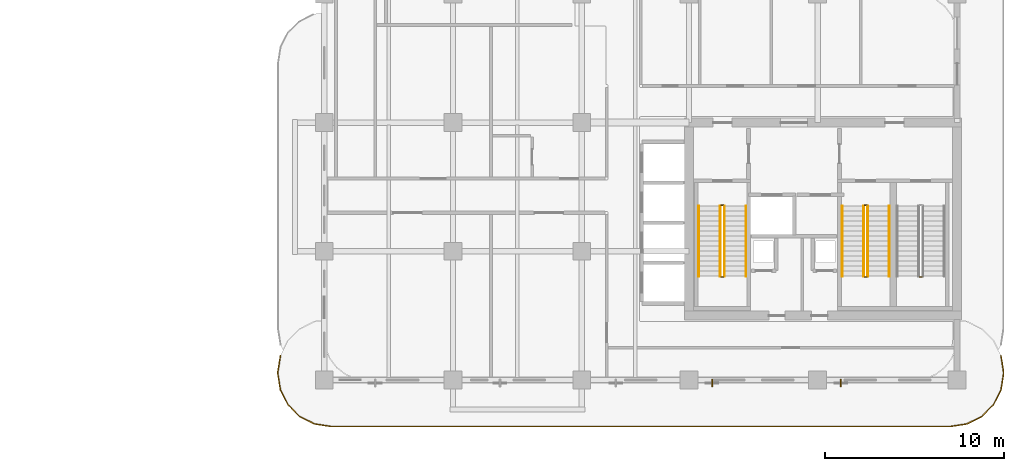
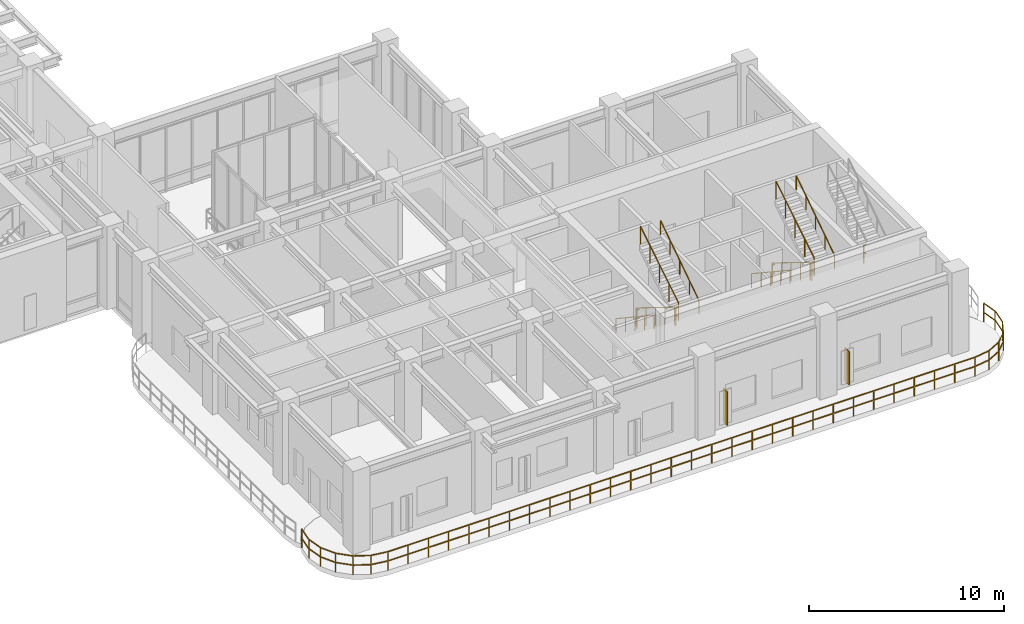
# One storey, part 18 of 21: 14 railings, 2 shading devices.
"""IFC4 building model written with IfcOpenShell, lengths in metres."""

import ifcopenshell
import ifcopenshell.guid

model = None  # the IFC model being written
_history = None  # IfcOwnerHistory: only IFC2X3 demands one
_inside = {}  # id of a spatial element -> (the spatial element, [elements in it])
_under = {}  # id of a project, library or spatial element -> (it, [spatial elements below it])
_declared = {}  # id of a project -> (the project, [libraries it declares])
_typed = {}  # id of a type object -> (the type object, [elements of that type])
_made_of = {}  # id of a material, layer set ... -> (it, [elements and type objects made of it])


def new_model(schema):
    """Start an empty IFC model of exactly this schema.

    Asked for "IFC4X3", IfcOpenShell would pick the latest addendum, in which some entities
    have other attributes; the version numbers below select the first issue.
    IFC2X3 requires an IfcOwnerHistory on every rooted entity: one is made here for all.
    """
    global model, _history
    if schema == "IFC4X3":
        model = ifcopenshell.file(schema_version=(4, 3, 0, 0))
    else:
        model = ifcopenshell.file(schema=schema)
    _inside.clear()
    _under.clear()
    _declared.clear()
    _typed.clear()
    _made_of.clear()
    _history = None
    if model.schema == "IFC2X3":
        org = make("IfcOrganization", Name="unknown")
        user = make(
            "IfcPersonAndOrganization",
            ThePerson=make("IfcPerson", FamilyName="unknown"),
            TheOrganization=org,
        )
        app = make(
            "IfcApplication",
            ApplicationDeveloper=org,
            Version="unknown",
            ApplicationFullName="unknown",
            ApplicationIdentifier="unknown",
        )
        _history = make(
            "IfcOwnerHistory",
            OwningUser=user,
            OwningApplication=app,
            ChangeAction="ADDED",
            CreationDate=0,
        )
    return model


def make(cls, **values):
    """One entity of the class cls with the attributes given. An attribute that is None is left unset."""
    return model.create_entity(
        cls, **{name: value for name, value in values.items() if value is not None}
    )


def rooted(cls, **values):
    """An entity with a GlobalId (a new one), such as an element, a storey or a relation."""
    return make(cls, GlobalId=ifcopenshell.guid.new(), OwnerHistory=_history, **values)


def si_unit(unit_type, name, prefix=None):
    """IfcSIUnit, for example si_unit("LENGTHUNIT", "METRE", prefix="MILLI")."""
    return make("IfcSIUnit", UnitType=unit_type, Prefix=prefix, Name=name)


def derived_unit(unit_type, elements):
    """IfcDerivedUnit: a product of units, each with its exponent."""
    return make(
        "IfcDerivedUnit",
        Elements=[
            make("IfcDerivedUnitElement", Unit=unit, Exponent=power)
            for unit, power in elements
        ],
        UnitType=unit_type,
    )


def assignment(units):
    """IfcUnitAssignment: the units of a project."""
    return None if units is None else make("IfcUnitAssignment", Units=units)


def point(xyz):
    """IfcCartesianPoint."""
    return None if xyz is None else make("IfcCartesianPoint", Coordinates=xyz)


def direction(xyz):
    """IfcDirection."""
    return None if xyz is None else make("IfcDirection", DirectionRatios=xyz)


def frame(location, z_axis=None, x_axis=None):
    """IfcAxis2Placement3D, a coordinate frame: its origin and axes. An axis left out is left unset."""
    return make(
        "IfcAxis2Placement3D",
        Location=point(location),
        Axis=direction(z_axis),
        RefDirection=direction(x_axis),
    )


def frame_2d(location, x_axis=None):
    """IfcAxis2Placement2D, a coordinate frame in the plane: its origin and x axis."""
    return make(
        "IfcAxis2Placement2D", Location=point(location), RefDirection=direction(x_axis)
    )


def origin():
    """The frame at (0, 0, 0) with its axes left unset."""
    return frame((0.0, 0.0, 0.0))


def origin_2d():
    """The frame at (0, 0) in the plane with its x axis left unset."""
    return frame_2d((0.0, 0.0))


def place(relative_to, where):
    """IfcLocalPlacement: puts the frame where relative to a parent placement (None: the world)."""
    return make(
        "IfcLocalPlacement", PlacementRelTo=relative_to, RelativePlacement=where
    )


def context(
    kind, dimensions, precision=None, world=None, true_north=None, identifier=None
):
    """IfcGeometricRepresentationContext, for example the 3D "Model" context."""
    return make(
        "IfcGeometricRepresentationContext",
        ContextIdentifier=identifier,
        ContextType=kind,
        CoordinateSpaceDimension=dimensions,
        Precision=precision,
        WorldCoordinateSystem=world,
        TrueNorth=true_north,
    )


def subcontext(parent, identifier, kind, view, scale=None):
    """IfcGeometricRepresentationSubContext, for example "Body" below "Model"."""
    return make(
        "IfcGeometricRepresentationSubContext",
        ContextIdentifier=identifier,
        ContextType=kind,
        ParentContext=parent,
        TargetScale=scale,
        TargetView=view,
    )


def project(units=None, contexts=None):
    """IfcProject with its units and contexts."""
    return rooted(
        "IfcProject",
        Name="project",
        RepresentationContexts=contexts,
        UnitsInContext=assignment(units),
    )


def spatial(cls, under=None, at=None, **own):
    """A site, building, storey or space (cls), placed at a placement, below another one or the project."""
    s = rooted(cls, ObjectPlacement=at, **own)
    if under is not None:
        _under.setdefault(under.id(), (under, []))[1].append(s)
    return s


def profile(cls, at=None, kind="AREA", **sizes):
    """A parametric profile (cls). Its sizes go by their IFC names, for example OverallWidth=200.0."""
    return make(cls, ProfileType=kind, Position=at, **sizes)


def rectangle(**sizes):
    """IfcRectangleProfileDef."""
    return profile("IfcRectangleProfileDef", **sizes)


def extrude(swept, where, along, depth):
    """IfcExtrudedAreaSolid: the profile swept, set in the frame where, extruded along a direction by depth."""
    return make(
        "IfcExtrudedAreaSolid",
        SweptArea=swept,
        Position=where,
        ExtrudedDirection=direction(along),
        Depth=depth,
    )


def shape(context_of_items, identifier, shape_type, items):
    """IfcShapeRepresentation: the items that make up one representation, for example the "Body"."""
    return make(
        "IfcShapeRepresentation",
        ContextOfItems=context_of_items,
        RepresentationIdentifier=identifier,
        RepresentationType=shape_type,
        Items=items,
    )


def source(mapping_origin, context_of_items, identifier, shape_type, items):
    """IfcRepresentationMap: a shape defined once, which mapped items show again and again."""
    return make(
        "IfcRepresentationMap",
        MappingOrigin=mapping_origin,
        MappedRepresentation=shape(context_of_items, identifier, shape_type, items),
    )


def transform(
    local_origin,
    x_axis=None,
    y_axis=None,
    z_axis=None,
    scale=None,
    scale2=None,
    scale3=None,
    uniform=True,
):
    """IfcCartesianTransformationOperator3D, or its non-uniform kind. x_axis, y_axis, z_axis: its Axis1, 2, 3."""
    if uniform:
        return make(
            "IfcCartesianTransformationOperator3D",
            Axis1=direction(x_axis),
            Axis2=direction(y_axis),
            LocalOrigin=point(local_origin),
            Scale=scale,
            Axis3=direction(z_axis),
        )
    return make(
        "IfcCartesianTransformationOperator3DnonUniform",
        Axis1=direction(x_axis),
        Axis2=direction(y_axis),
        LocalOrigin=point(local_origin),
        Scale=scale,
        Axis3=direction(z_axis),
        Scale2=scale2,
        Scale3=scale3,
    )


def mapped(mapping_source, mapping_target):
    """IfcMappedItem: shows the shape of a source again, moved by a transform."""
    return make(
        "IfcMappedItem", MappingSource=mapping_source, MappingTarget=mapping_target
    )


def material(Name=None, Category=None):
    """IfcMaterial."""
    return make("IfcMaterial", Name=Name, Category=Category)


def layer(
    of_material, thickness, ventilated=None, Name=None, Category=None, Priority=None
):
    """IfcMaterialLayer: one layer of a wall or slab, of a material (None: an air gap)."""
    return make(
        "IfcMaterialLayer",
        Material=of_material,
        LayerThickness=thickness,
        IsVentilated=ventilated,
        Name=Name,
        Category=Category,
        Priority=Priority,
    )


def layer_set(layers, Name=None):
    """IfcMaterialLayerSet."""
    return make("IfcMaterialLayerSet", MaterialLayers=layers, LayerSetName=Name)


def made_of(thing, what):
    """Note that an element or type object is made of a material, layer set ...; save() writes the relation."""
    if what is not None:
        _made_of.setdefault(what.id(), (what, []))[1].append(thing)
    return thing


def type_object(cls, material=None, **own):
    """A type object (cls), such as IfcWallType, which elements share."""
    return made_of(rooted(cls, **own), material)


def type_shapes(of_type, sources):
    """Give a type object the sources (RepresentationMaps) that its elements show as mapped items."""
    of_type.RepresentationMaps = sources


def element(
    cls,
    number,
    at=None,
    inside=None,
    cuts=None,
    type_object=None,
    material=None,
    context=None,
    identifier="Body",
    shape_type=None,
    held_by="IfcProductDefinitionShape",
    body=None,
    shapes=None,
    **own,
):
    """One element of the class cls, such as IfcWall. Its Tag is "e" and its number.

    at: its placement. inside: the storey or other place that contains it. cuts: it is an
    opening in that element (IfcRelVoidsElement). A single representation is given by context,
    identifier, shape_type and body (its items); several are given by shapes. held_by: the class
    of the entity that holds the representations. save() writes the other relations.
    """
    e = rooted(cls, Tag="e%d" % number, ObjectPlacement=at, **own)
    if body is not None:
        shapes = [shape(context, identifier, shape_type, body)]
    if shapes is not None:
        e.Representation = make(held_by, Representations=shapes)
    if inside is not None:
        _inside.setdefault(inside.id(), (inside, []))[1].append(e)
    if cuts is not None:
        rooted(
            "IfcRelVoidsElement", RelatingBuildingElement=cuts, RelatedOpeningElement=e
        )
    if type_object is not None:
        _typed.setdefault(type_object.id(), (type_object, []))[1].append(e)
    return made_of(e, material)


def aggregate(whole, parts):
    """IfcRelAggregates: a whole, such as a stair, and the parts it consists of."""
    return rooted("IfcRelAggregates", RelatingObject=whole, RelatedObjects=parts)


def save(model, path):
    """Write the relations noted so far, then the file.

    IfcRelAggregates (storeys below a building ...), IfcRelContainedInSpatialStructure (elements
    in a storey), IfcRelDefinesByType, IfcRelAssociatesMaterial and IfcRelDeclares: one each for
    every whole, place, type object, material and project.
    """
    for whole, parts in _under.values():
        aggregate(whole, parts)
    for where, things in _inside.values():
        rooted(
            "IfcRelContainedInSpatialStructure",
            RelatedElements=things,
            RelatingStructure=where,
        )
    for kind, things in _typed.values():
        rooted("IfcRelDefinesByType", RelatedObjects=things, RelatingType=kind)
    for what, things in _made_of.values():
        rooted("IfcRelAssociatesMaterial", RelatedObjects=things, RelatingMaterial=what)
    for by, libraries in _declared.values():
        rooted("IfcRelDeclares", RelatingContext=by, RelatedDefinitions=libraries)
    model.write(path)


model = new_model("IFC4")

# Units and contexts
model_context = context("Model", 3, precision=1e-05, world=origin(), true_north=direction((0.0, 1.0)))
body_context = subcontext(model_context, "Body", "Model", "MODEL_VIEW")
ifc_project = project(units=[si_unit("LENGTHUNIT", "METRE"), si_unit("AREAUNIT", "SQUARE_METRE"), si_unit("VOLUMEUNIT", "CUBIC_METRE"), si_unit("PLANEANGLEUNIT", "RADIAN"), si_unit("MASSUNIT", "GRAM", prefix="KILO"), si_unit("THERMODYNAMICTEMPERATUREUNIT", "KELVIN"), si_unit("POWERUNIT", "WATT"), derived_unit("THERMALTRANSMITTANCEUNIT", [(si_unit("POWERUNIT", "WATT"), 1), (si_unit("AREAUNIT", "SQUARE_METRE"), -1), (si_unit("THERMODYNAMICTEMPERATUREUNIT", "KELVIN"), -1)])], contexts=[model_context])

# Site, building, storey
site_placement = place(None, origin())
site = spatial("IfcSite", under=ifc_project, at=site_placement, CompositionType="ELEMENT")
building_placement = place(site_placement, origin())
building = spatial("IfcBuilding", under=site, at=building_placement, Name="Zahravan Archway Hotel and Residences", CompositionType="ELEMENT")
storey_placement = place(building_placement, frame((0.0, 0.0, 145.10009765625)))
storey = spatial("IfcBuildingStorey", under=building, at=storey_placement, Name="L36", CompositionType="ELEMENT", Elevation=145.10009765625)

# Railings
ifc_material_1 = material(Name="Bronze & Laminated Glass Balustrade", Category="glass")
railing_type_1 = type_object("IfcRailingType", Name="RL-BAL-1200", PredefinedType="BALUSTRADE", material=ifc_material_1)
railing_1_placement = place(storey_placement, frame((52.255615234375, 1.361572265625, 0.0)))
element("IfcRailing", 1, at=railing_1_placement, inside=storey, type_object=railing_type_1, Name="L36 Balustrade RL-SLB-BAL-L36-SA-1", PredefinedType="BALUSTRADE", context=body_context, shape_type="SweptSolid", body=[
    extrude(rectangle(XDim=0.048095703125, YDim=0.048095703125, at=origin_2d()), frame((0.0, 0.0, 1.17578125), z_axis=(0.156329311416, -0.987704989555, 0.0), x_axis=(0.987704989555, 0.156329311416, 0.0)), (0.0, 0.0, 1.0), 0.9228515625),
    extrude(rectangle(XDim=0.048095703125, YDim=0.048095703125, at=origin_2d()), frame((0.0, 0.0, 0.60009765625), z_axis=(0.156329311416, -0.987704989555, 0.0), x_axis=(0.987704989555, 0.156329311416, 0.0)), (0.0, 0.0, 1.0), 0.9228515625),
    extrude(rectangle(XDim=0.048095703125, YDim=0.048095703125, at=origin_2d()), frame((0.144287109375, -0.91162109375, 1.17578125), z_axis=(0.0, -1.0, 0.0), x_axis=(1.0, 0.0, 0.0)), (0.0, 0.0, 1.0), 0.099853515625),
    extrude(rectangle(XDim=0.048095703125, YDim=0.048095703125, at=origin_2d()), frame((0.144287109375, -0.91162109375, 0.60009765625), z_axis=(0.0, -1.0, 0.0), x_axis=(1.0, 0.0, 0.0)), (0.0, 0.0, 1.0), 0.099853515625),
    extrude(rectangle(XDim=0.048095703125, YDim=0.048095703125, at=origin_2d()), frame((0.144287109375, -1.011474609375, 1.17578125), z_axis=(-0.156329311416, -0.987704989555, 0.0), x_axis=(0.987704989555, -0.156329311416, 0.0)), (0.0, 0.0, 1.0), 0.9228515625),
    extrude(rectangle(XDim=0.048095703125, YDim=0.048095703125, at=origin_2d()), frame((0.144287109375, -1.011474609375, 0.60009765625), z_axis=(-0.156329311416, -0.987704989555, 0.0), x_axis=(0.987704989555, -0.156329311416, 0.0)), (0.0, 0.0, 1.0), 0.9228515625),
    extrude(rectangle(XDim=0.048095703125, YDim=0.048095703125, at=origin_2d()), frame((0.0, -1.923095703125, 1.17578125), z_axis=(-0.453866348456, -0.891069771532, 0.0), x_axis=(0.891069771532, -0.453866348456, 0.0)), (0.0, 0.0, 1.0), 0.923095703125),
    extrude(rectangle(XDim=0.048095703125, YDim=0.048095703125, at=origin_2d()), frame((0.0, -1.923095703125, 0.60009765625), z_axis=(-0.453866348456, -0.891069771532, 0.0), x_axis=(0.891069771532, -0.453866348456, 0.0)), (0.0, 0.0, 1.0), 0.923095703125),
    extrude(rectangle(XDim=0.048095703125, YDim=0.048095703125, at=origin_2d()), frame((-0.4189453125, -2.74560546875, 1.17578125), z_axis=(-0.707106781187, -0.707106781187, 0.0), x_axis=(0.707106781187, -0.707106781187, 0.0)), (0.0, 0.0, 1.0), 0.9228515625),
    extrude(rectangle(XDim=0.048095703125, YDim=0.048095703125, at=origin_2d()), frame((-0.4189453125, -2.74560546875, 0.60009765625), z_axis=(-0.707106781187, -0.707106781187, 0.0), x_axis=(0.707106781187, -0.707106781187, 0.0)), (0.0, 0.0, 1.0), 0.9228515625),
    extrude(rectangle(XDim=0.048095703125, YDim=0.048095703125, at=origin_2d()), frame((-1.071533203125, -3.398193359375, 1.17578125), z_axis=(-0.891069771532, -0.453866348456, 0.0), x_axis=(0.453866348456, -0.891069771532, 0.0)), (0.0, 0.0, 1.0), 0.923095703125),
    extrude(rectangle(XDim=0.048095703125, YDim=0.048095703125, at=origin_2d()), frame((-1.071533203125, -3.398193359375, 0.60009765625), z_axis=(-0.891069771532, -0.453866348456, 0.0), x_axis=(0.453866348456, -0.891069771532, 0.0)), (0.0, 0.0, 1.0), 0.923095703125),
    extrude(rectangle(XDim=0.048095703125, YDim=0.048095703125, at=origin_2d()), frame((-1.89404296875, -3.817138671875, 1.17578125), z_axis=(-0.98766411426, -0.156587347521, 0.0), x_axis=(0.156587347521, -0.98766411426, 0.0)), (0.0, 0.0, 1.0), 0.923095703125),
    extrude(rectangle(XDim=0.048095703125, YDim=0.048095703125, at=origin_2d()), frame((-1.89404296875, -3.817138671875, 0.60009765625), z_axis=(-0.98766411426, -0.156587347521, 0.0), x_axis=(0.156587347521, -0.98766411426, 0.0)), (0.0, 0.0, 1.0), 0.923095703125),
    extrude(rectangle(XDim=0.048095703125, YDim=0.048095703125, at=origin_2d()), frame((-2.8056640625, -3.961669921875, 1.17578125), z_axis=(-1.0, 0.0, 0.0), x_axis=(0.0, -1.0, 0.0)), (0.0, 0.0, 1.0), 34.699951171875),
    extrude(rectangle(XDim=0.048095703125, YDim=0.048095703125, at=origin_2d()), frame((-2.8056640625, -3.961669921875, 0.60009765625), z_axis=(-1.0, 0.0, 0.0), x_axis=(0.0, -1.0, 0.0)), (0.0, 0.0, 1.0), 34.699951171875),
    extrude(rectangle(XDim=0.048095703125, YDim=0.048095703125, at=origin_2d()), frame((-37.505615234375, -3.961669921875, 1.17578125), z_axis=(-0.98766411426, 0.156587347521, 0.0), x_axis=(-0.156587347521, -0.98766411426, 0.0)), (0.0, 0.0, 1.0), 0.923095703125),
    extrude(rectangle(XDim=0.048095703125, YDim=0.048095703125, at=origin_2d()), frame((-37.505615234375, -3.961669921875, 0.60009765625), z_axis=(-0.98766411426, 0.156587347521, 0.0), x_axis=(-0.156587347521, -0.98766411426, 0.0)), (0.0, 0.0, 1.0), 0.923095703125),
    extrude(rectangle(XDim=0.048095703125, YDim=0.048095703125, at=origin_2d()), frame((-38.417236328125, -3.817138671875, 1.17578125), z_axis=(-0.891015268556, 0.453973337542, 0.0), x_axis=(-0.453973337542, -0.891015268556, 0.0)), (0.0, 0.0, 1.0), 0.9228515625),
    extrude(rectangle(XDim=0.048095703125, YDim=0.048095703125, at=origin_2d()), frame((-38.417236328125, -3.817138671875, 0.60009765625), z_axis=(-0.891015268556, 0.453973337542, 0.0), x_axis=(-0.453973337542, -0.891015268556, 0.0)), (0.0, 0.0, 1.0), 0.9228515625),
    extrude(rectangle(XDim=0.048095703125, YDim=0.048095703125, at=origin_2d()), frame((-39.239501953125, -3.398193359375, 1.17578125), z_axis=(-0.707239012465, 0.706974525176, 0.0), x_axis=(-0.706974525176, -0.707239012465, 0.0)), (0.0, 0.0, 1.0), 0.923095703125),
    extrude(rectangle(XDim=0.048095703125, YDim=0.048095703125, at=origin_2d()), frame((-39.239501953125, -3.398193359375, 0.60009765625), z_axis=(-0.707239012465, 0.706974525176, 0.0), x_axis=(-0.706974525176, -0.707239012465, 0.0)), (0.0, 0.0, 1.0), 0.923095703125),
    extrude(rectangle(XDim=0.048095703125, YDim=0.048095703125, at=origin_2d()), frame((-39.892333984375, -2.74560546875, 1.17578125), z_axis=(-0.453866348456, 0.891069771532, 0.0), x_axis=(-0.891069771532, -0.453866348456, 0.0)), (0.0, 0.0, 1.0), 0.923095703125),
    extrude(rectangle(XDim=0.048095703125, YDim=0.048095703125, at=origin_2d()), frame((-39.892333984375, -2.74560546875, 0.60009765625), z_axis=(-0.453866348456, 0.891069771532, 0.0), x_axis=(-0.891069771532, -0.453866348456, 0.0)), (0.0, 0.0, 1.0), 0.923095703125),
    extrude(rectangle(XDim=0.048095703125, YDim=0.048095703125, at=origin_2d()), frame((-40.311279296875, -1.923095703125, 1.17578125), z_axis=(-0.156329311416, 0.987704989555, 0.0), x_axis=(-0.987704989555, -0.156329311416, 0.0)), (0.0, 0.0, 1.0), 0.9228515625),
    extrude(rectangle(XDim=0.048095703125, YDim=0.048095703125, at=origin_2d()), frame((-40.311279296875, -1.923095703125, 0.60009765625), z_axis=(-0.156329311416, 0.987704989555, 0.0), x_axis=(-0.987704989555, -0.156329311416, 0.0)), (0.0, 0.0, 1.0), 0.9228515625),
    extrude(rectangle(XDim=0.048095703125, YDim=0.048095703125, at=origin_2d()), frame((-40.45556640625, -1.011474609375, 1.17578125), z_axis=(0.0, 1.0, 0.0), x_axis=(-1.0, 0.0, 0.0)), (0.0, 0.0, 1.0), 0.099853515625),
    extrude(rectangle(XDim=0.048095703125, YDim=0.048095703125, at=origin_2d()), frame((-40.45556640625, -1.011474609375, 0.60009765625), z_axis=(0.0, 1.0, 0.0), x_axis=(-1.0, 0.0, 0.0)), (0.0, 0.0, 1.0), 0.099853515625),
    extrude(rectangle(XDim=0.048095703125, YDim=0.048095703125, at=origin_2d()), frame((-40.45556640625, -0.91162109375, 1.17578125), z_axis=(0.156329311416, 0.987704989555, 0.0), x_axis=(-0.987704989555, 0.156329311416, 0.0)), (0.0, 0.0, 1.0), 0.9228515625),
    extrude(rectangle(XDim=0.048095703125, YDim=0.048095703125, at=origin_2d()), frame((-40.45556640625, -0.91162109375, 0.60009765625), z_axis=(0.156329311416, 0.987704989555, 0.0), x_axis=(-0.987704989555, 0.156329311416, 0.0)), (0.0, 0.0, 1.0), 0.9228515625),
    extrude(rectangle(XDim=0.0419921875, YDim=0.0419921875, at=origin_2d()), origin(), (0.0, 0.0, 1.0), 1.15185546875),
    extrude(rectangle(XDim=0.0419921875, YDim=0.0419921875, at=origin_2d()), frame((0.144287109375, -0.91162109375, 0.0)), (0.0, 0.0, 1.0), 1.15185546875),
    extrude(rectangle(XDim=0.0419921875, YDim=0.0419921875, at=origin_2d()), frame((0.0, -1.923095703125, 0.0)), (0.0, 0.0, 1.0), 1.15185546875),
    extrude(rectangle(XDim=0.0419921875, YDim=0.0419921875, at=origin_2d()), frame((-0.4189453125, -2.74560546875, 0.0)), (0.0, 0.0, 1.0), 1.15185546875),
    extrude(rectangle(XDim=0.0419921875, YDim=0.0419921875, at=origin_2d()), frame((-1.071533203125, -3.398193359375, 0.0)), (0.0, 0.0, 1.0), 1.15185546875),
    extrude(rectangle(XDim=0.0419921875, YDim=0.0419921875, at=origin_2d()), frame((-1.89404296875, -3.817138671875, 0.0)), (0.0, 0.0, 1.0), 1.15185546875),
    extrude(rectangle(XDim=0.0419921875, YDim=0.0419921875, at=origin_2d()), frame((-2.8056640625, -3.961669921875, 0.0)), (0.0, 0.0, 1.0), 1.15185546875),
    extrude(rectangle(XDim=0.0419921875, YDim=0.0419921875, at=origin_2d()), frame((-4.002197265625, -3.961669921875, 0.0)), (0.0, 0.0, 1.0), 1.15185546875),
    extrude(rectangle(XDim=0.0419921875, YDim=0.0419921875, at=origin_2d()), frame((-5.19873046875, -3.961669921875, 0.0)), (0.0, 0.0, 1.0), 1.15185546875),
    extrude(rectangle(XDim=0.0419921875, YDim=0.0419921875, at=origin_2d()), frame((-6.395263671875, -3.961669921875, 0.0)), (0.0, 0.0, 1.0), 1.15185546875),
    extrude(rectangle(XDim=0.0419921875, YDim=0.0419921875, at=origin_2d()), frame((-7.591796875, -3.961669921875, 0.0)), (0.0, 0.0, 1.0), 1.15185546875),
    extrude(rectangle(XDim=0.0419921875, YDim=0.0419921875, at=origin_2d()), frame((-8.788330078125, -3.961669921875, 0.0)), (0.0, 0.0, 1.0), 1.15185546875),
    extrude(rectangle(XDim=0.0419921875, YDim=0.0419921875, at=origin_2d()), frame((-9.98486328125, -3.961669921875, 0.0)), (0.0, 0.0, 1.0), 1.15185546875),
    extrude(rectangle(XDim=0.0419921875, YDim=0.0419921875, at=origin_2d()), frame((-11.181396484375, -3.961669921875, 0.0)), (0.0, 0.0, 1.0), 1.15185546875),
    extrude(rectangle(XDim=0.0419921875, YDim=0.0419921875, at=origin_2d()), frame((-12.378173828125, -3.961669921875, 0.0)), (0.0, 0.0, 1.0), 1.15185546875),
    extrude(rectangle(XDim=0.0419921875, YDim=0.0419921875, at=origin_2d()), frame((-13.57470703125, -3.961669921875, 0.0)), (0.0, 0.0, 1.0), 1.15185546875),
    extrude(rectangle(XDim=0.0419921875, YDim=0.0419921875, at=origin_2d()), frame((-14.771240234375, -3.961669921875, 0.0)), (0.0, 0.0, 1.0), 1.15185546875),
    extrude(rectangle(XDim=0.0419921875, YDim=0.0419921875, at=origin_2d()), frame((-15.9677734375, -3.961669921875, 0.0)), (0.0, 0.0, 1.0), 1.15185546875),
    extrude(rectangle(XDim=0.0419921875, YDim=0.0419921875, at=origin_2d()), frame((-17.164306640625, -3.961669921875, 0.0)), (0.0, 0.0, 1.0), 1.15185546875),
    extrude(rectangle(XDim=0.0419921875, YDim=0.0419921875, at=origin_2d()), frame((-18.36083984375, -3.961669921875, 0.0)), (0.0, 0.0, 1.0), 1.15185546875),
    extrude(rectangle(XDim=0.0419921875, YDim=0.0419921875, at=origin_2d()), frame((-19.557373046875, -3.961669921875, 0.0)), (0.0, 0.0, 1.0), 1.15185546875),
    extrude(rectangle(XDim=0.0419921875, YDim=0.0419921875, at=origin_2d()), frame((-20.75390625, -3.961669921875, 0.0)), (0.0, 0.0, 1.0), 1.15185546875),
    extrude(rectangle(XDim=0.0419921875, YDim=0.0419921875, at=origin_2d()), frame((-21.950439453125, -3.961669921875, 0.0)), (0.0, 0.0, 1.0), 1.15185546875),
    extrude(rectangle(XDim=0.0419921875, YDim=0.0419921875, at=origin_2d()), frame((-23.14697265625, -3.961669921875, 0.0)), (0.0, 0.0, 1.0), 1.15185546875),
    extrude(rectangle(XDim=0.0419921875, YDim=0.0419921875, at=origin_2d()), frame((-24.343505859375, -3.961669921875, 0.0)), (0.0, 0.0, 1.0), 1.15185546875),
    extrude(rectangle(XDim=0.0419921875, YDim=0.0419921875, at=origin_2d()), frame((-25.5400390625, -3.961669921875, 0.0)), (0.0, 0.0, 1.0), 1.15185546875),
    extrude(rectangle(XDim=0.0419921875, YDim=0.0419921875, at=origin_2d()), frame((-26.736572265625, -3.961669921875, 0.0)), (0.0, 0.0, 1.0), 1.15185546875),
    extrude(rectangle(XDim=0.0419921875, YDim=0.0419921875, at=origin_2d()), frame((-27.93310546875, -3.961669921875, 0.0)), (0.0, 0.0, 1.0), 1.15185546875),
    extrude(rectangle(XDim=0.0419921875, YDim=0.0419921875, at=origin_2d()), frame((-29.1298828125, -3.961669921875, 0.0)), (0.0, 0.0, 1.0), 1.15185546875),
    extrude(rectangle(XDim=0.0419921875, YDim=0.0419921875, at=origin_2d()), frame((-30.326416015625, -3.961669921875, 0.0)), (0.0, 0.0, 1.0), 1.15185546875),
    extrude(rectangle(XDim=0.0419921875, YDim=0.0419921875, at=origin_2d()), frame((-31.52294921875, -3.961669921875, 0.0)), (0.0, 0.0, 1.0), 1.15185546875),
    extrude(rectangle(XDim=0.0419921875, YDim=0.0419921875, at=origin_2d()), frame((-32.719482421875, -3.961669921875, 0.0)), (0.0, 0.0, 1.0), 1.15185546875),
    extrude(rectangle(XDim=0.0419921875, YDim=0.0419921875, at=origin_2d()), frame((-33.916015625, -3.961669921875, 0.0)), (0.0, 0.0, 1.0), 1.15185546875),
    extrude(rectangle(XDim=0.0419921875, YDim=0.0419921875, at=origin_2d()), frame((-35.112548828125, -3.961669921875, 0.0)), (0.0, 0.0, 1.0), 1.15185546875),
    extrude(rectangle(XDim=0.0419921875, YDim=0.0419921875, at=origin_2d()), frame((-36.30908203125, -3.961669921875, 0.0)), (0.0, 0.0, 1.0), 1.15185546875),
    extrude(rectangle(XDim=0.0419921875, YDim=0.0419921875, at=origin_2d()), frame((-37.505615234375, -3.961669921875, 0.0)), (0.0, 0.0, 1.0), 1.15185546875),
    extrude(rectangle(XDim=0.0419921875, YDim=0.0419921875, at=origin_2d()), frame((-38.417236328125, -3.817138671875, 0.0)), (0.0, 0.0, 1.0), 1.15185546875),
    extrude(rectangle(XDim=0.0419921875, YDim=0.0419921875, at=origin_2d()), frame((-39.239501953125, -3.398193359375, 0.0)), (0.0, 0.0, 1.0), 1.15185546875),
    extrude(rectangle(XDim=0.0419921875, YDim=0.0419921875, at=origin_2d()), frame((-39.892333984375, -2.74560546875, 0.0)), (0.0, 0.0, 1.0), 1.15185546875),
    extrude(rectangle(XDim=0.0419921875, YDim=0.0419921875, at=origin_2d()), frame((-40.311279296875, -1.923095703125, 0.0)), (0.0, 0.0, 1.0), 1.15185546875),
    extrude(rectangle(XDim=0.0419921875, YDim=0.0419921875, at=origin_2d()), frame((-40.45556640625, -1.011474609375, 0.0)), (0.0, 0.0, 1.0), 1.15185546875),
    extrude(rectangle(XDim=0.0419921875, YDim=0.0419921875, at=origin_2d()), frame((-40.311279296875, 0.0, 0.0)), (0.0, 0.0, 1.0), 1.15185546875),
])
ifc_material_2 = material(Name="Painted Tubular Steel", Category="steel")
railing_type_2 = type_object("IfcRailingType", Name="RL-STG-1150", PredefinedType="GUARDRAIL", material=ifc_material_2)
railing_2_placement = place(storey_placement, frame((36.550048828125, 9.72998046875, 0.17333984375)))
element("IfcRailing", 2, at=railing_2_placement, inside=storey, type_object=railing_type_2, Name="L36 ST-A1 stair guard 1", PredefinedType="GUARDRAIL", context=body_context, shape_type="SweptSolid", body=[
    extrude(rectangle(XDim=0.048095703125, YDim=0.048095703125, at=origin_2d()), frame((0.0, 0.0, 1.1259765625), z_axis=(0.0, -0.850275303828, 0.526338206574), x_axis=(1.0, 0.0, 0.0)), (0.0, 0.0, 1.0), 4.610107421875),
    extrude(rectangle(XDim=0.0419921875, YDim=0.0419921875, at=origin_2d()), origin(), (0.0, 0.0, 1.0), 1.101806640625),
    extrude(rectangle(XDim=0.0419921875, YDim=0.0419921875, at=origin_2d()), frame((0.0, -0.97998046875, 0.606689453125)), (0.0, 0.0, 1.0), 1.101806640625),
    extrude(rectangle(XDim=0.0419921875, YDim=0.0419921875, at=origin_2d()), frame((0.0, -1.9599609375, 1.21337890625)), (0.0, 0.0, 1.0), 1.101806640625),
    extrude(rectangle(XDim=0.0419921875, YDim=0.0419921875, at=origin_2d()), frame((0.0, -2.93994140625, 1.81982421875)), (0.0, 0.0, 1.0), 1.101806640625),
    extrude(rectangle(XDim=0.0419921875, YDim=0.0419921875, at=origin_2d()), frame((0.0, -3.919921875, 2.426513671875)), (0.0, 0.0, 1.0), 1.101806640625),
])
railing_3_placement = place(storey_placement, frame((36.60009765625, 5.760009765625, 2.599853515625)))
element("IfcRailing", 3, at=railing_3_placement, inside=storey, type_object=railing_type_2, Name="L36 ST-A1 stair guard 2", PredefinedType="GUARDRAIL", context=body_context, shape_type="SweptSolid", body=[
    extrude(rectangle(XDim=0.048095703125, YDim=0.048095703125, at=origin_2d()), frame((0.0, 0.0, 1.1259765625), z_axis=(1.0, 0.0, 0.0), x_axis=(0.0, 1.0, 0.0)), (0.0, 0.0, 1.0), 0.139892578125),
    extrude(rectangle(XDim=0.048095703125, YDim=0.048095703125, at=origin_2d()), frame((0.0, 0.0, 0.574951171875), z_axis=(1.0, 0.0, 0.0), x_axis=(0.0, 1.0, 0.0)), (0.0, 0.0, 1.0), 0.139892578125),
    extrude(rectangle(XDim=0.0419921875, YDim=0.0419921875, at=origin_2d()), origin(), (0.0, 0.0, 1.0), 1.101806640625),
])
railing_4_placement = place(storey_placement, frame((36.7900390625, 5.81005859375, 2.773193359375)))
element("IfcRailing", 4, at=railing_4_placement, inside=storey, type_object=railing_type_2, Name="L36 ST-A1 stair guard 3", PredefinedType="GUARDRAIL", context=body_context, shape_type="SweptSolid", body=[
    extrude(rectangle(XDim=0.048095703125, YDim=0.048095703125, at=origin_2d()), frame((0.0, 0.0, 1.1259765625), z_axis=(0.0, 0.850251603719, 0.526376491091), x_axis=(-1.0, 0.0, 0.0)), (0.0, 0.0, 1.0), 4.6103515625),
    extrude(rectangle(XDim=0.0419921875, YDim=0.0419921875, at=origin_2d()), origin(), (0.0, 0.0, 1.0), 1.101806640625),
    extrude(rectangle(XDim=0.0419921875, YDim=0.0419921875, at=origin_2d()), frame((0.0, 0.97998046875, 0.606689453125)), (0.0, 0.0, 1.0), 1.101806640625),
    extrude(rectangle(XDim=0.0419921875, YDim=0.0419921875, at=origin_2d()), frame((0.0, 1.9599609375, 1.21337890625)), (0.0, 0.0, 1.0), 1.101806640625),
    extrude(rectangle(XDim=0.0419921875, YDim=0.0419921875, at=origin_2d()), frame((0.0, 2.93994140625, 1.820068359375)), (0.0, 0.0, 1.0), 1.101806640625),
    extrude(rectangle(XDim=0.0419921875, YDim=0.0419921875, at=origin_2d()), frame((0.0, 3.919921875, 2.4267578125)), (0.0, 0.0, 1.0), 1.101806640625),
])
railing_5_placement = place(storey_placement, frame((36.60009765625, 9.780029296875, 0.0)))
element("IfcRailing", 5, at=railing_5_placement, inside=storey, type_object=railing_type_2, Name="L36 ST-A1 stair guard 4", PredefinedType="GUARDRAIL", context=body_context, shape_type="SweptSolid", body=[
    extrude(rectangle(XDim=0.048095703125, YDim=0.048095703125, at=origin_2d()), frame((0.0, 0.0, 1.1259765625), z_axis=(1.0, 0.0, 0.0), x_axis=(0.0, 1.0, 0.0)), (0.0, 0.0, 1.0), 0.139892578125),
    extrude(rectangle(XDim=0.048095703125, YDim=0.048095703125, at=origin_2d()), frame((0.0, 0.0, 0.574951171875), z_axis=(1.0, 0.0, 0.0), x_axis=(0.0, 1.0, 0.0)), (0.0, 0.0, 1.0), 0.139892578125),
    extrude(rectangle(XDim=0.0419921875, YDim=0.0419921875, at=origin_2d()), origin(), (0.0, 0.0, 1.0), 1.101806640625),
])
railing_6_placement = place(storey_placement, frame((44.570068359375, 9.72998046875, 0.17333984375)))
element("IfcRailing", 6, at=railing_6_placement, inside=storey, type_object=railing_type_2, Name="L36 ST-A2 stair guard 1", PredefinedType="GUARDRAIL", context=body_context, shape_type="SweptSolid", body=[
    extrude(rectangle(XDim=0.048095703125, YDim=0.048095703125, at=origin_2d()), frame((0.0, 0.0, 1.1259765625), z_axis=(0.0, -0.850275303828, 0.526338206574), x_axis=(1.0, 0.0, 0.0)), (0.0, 0.0, 1.0), 4.610107421875),
    extrude(rectangle(XDim=0.0419921875, YDim=0.0419921875, at=origin_2d()), origin(), (0.0, 0.0, 1.0), 1.101806640625),
    extrude(rectangle(XDim=0.0419921875, YDim=0.0419921875, at=origin_2d()), frame((0.0, -0.97998046875, 0.606689453125)), (0.0, 0.0, 1.0), 1.101806640625),
    extrude(rectangle(XDim=0.0419921875, YDim=0.0419921875, at=origin_2d()), frame((0.0, -1.9599609375, 1.21337890625)), (0.0, 0.0, 1.0), 1.101806640625),
    extrude(rectangle(XDim=0.0419921875, YDim=0.0419921875, at=origin_2d()), frame((0.0, -2.93994140625, 1.81982421875)), (0.0, 0.0, 1.0), 1.101806640625),
    extrude(rectangle(XDim=0.0419921875, YDim=0.0419921875, at=origin_2d()), frame((0.0, -3.919921875, 2.426513671875)), (0.0, 0.0, 1.0), 1.101806640625),
])
railing_7_placement = place(storey_placement, frame((44.6201171875, 5.760009765625, 2.599853515625)))
element("IfcRailing", 7, at=railing_7_placement, inside=storey, type_object=railing_type_2, Name="L36 ST-A2 stair guard 2", PredefinedType="GUARDRAIL", context=body_context, shape_type="SweptSolid", body=[
    extrude(rectangle(XDim=0.048095703125, YDim=0.048095703125, at=origin_2d()), frame((0.0, 0.0, 1.1259765625), z_axis=(1.0, 0.0, 0.0), x_axis=(0.0, 1.0, 0.0)), (0.0, 0.0, 1.0), 0.139892578125),
    extrude(rectangle(XDim=0.048095703125, YDim=0.048095703125, at=origin_2d()), frame((0.0, 0.0, 0.574951171875), z_axis=(1.0, 0.0, 0.0), x_axis=(0.0, 1.0, 0.0)), (0.0, 0.0, 1.0), 0.139892578125),
    extrude(rectangle(XDim=0.0419921875, YDim=0.0419921875, at=origin_2d()), origin(), (0.0, 0.0, 1.0), 1.101806640625),
])
railing_8_placement = place(storey_placement, frame((44.81005859375, 5.81005859375, 2.773193359375)))
element("IfcRailing", 8, at=railing_8_placement, inside=storey, type_object=railing_type_2, Name="L36 ST-A2 stair guard 3", PredefinedType="GUARDRAIL", context=body_context, shape_type="SweptSolid", body=[
    extrude(rectangle(XDim=0.048095703125, YDim=0.048095703125, at=origin_2d()), frame((0.0, 0.0, 1.1259765625), z_axis=(0.0, 0.850251603719, 0.526376491091), x_axis=(-1.0, 0.0, 0.0)), (0.0, 0.0, 1.0), 4.6103515625),
    extrude(rectangle(XDim=0.0419921875, YDim=0.0419921875, at=origin_2d()), origin(), (0.0, 0.0, 1.0), 1.101806640625),
    extrude(rectangle(XDim=0.0419921875, YDim=0.0419921875, at=origin_2d()), frame((0.0, 0.97998046875, 0.606689453125)), (0.0, 0.0, 1.0), 1.101806640625),
    extrude(rectangle(XDim=0.0419921875, YDim=0.0419921875, at=origin_2d()), frame((0.0, 1.9599609375, 1.21337890625)), (0.0, 0.0, 1.0), 1.101806640625),
    extrude(rectangle(XDim=0.0419921875, YDim=0.0419921875, at=origin_2d()), frame((0.0, 2.93994140625, 1.820068359375)), (0.0, 0.0, 1.0), 1.101806640625),
    extrude(rectangle(XDim=0.0419921875, YDim=0.0419921875, at=origin_2d()), frame((0.0, 3.919921875, 2.4267578125)), (0.0, 0.0, 1.0), 1.101806640625),
])
railing_9_placement = place(storey_placement, frame((44.6201171875, 9.780029296875, 0.0)))
element("IfcRailing", 9, at=railing_9_placement, inside=storey, type_object=railing_type_2, Name="L36 ST-A2 stair guard 4", PredefinedType="GUARDRAIL", context=body_context, shape_type="SweptSolid", body=[
    extrude(rectangle(XDim=0.048095703125, YDim=0.048095703125, at=origin_2d()), frame((0.0, 0.0, 1.1259765625), z_axis=(1.0, 0.0, 0.0), x_axis=(0.0, 1.0, 0.0)), (0.0, 0.0, 1.0), 0.139892578125),
    extrude(rectangle(XDim=0.048095703125, YDim=0.048095703125, at=origin_2d()), frame((0.0, 0.0, 0.574951171875), z_axis=(1.0, 0.0, 0.0), x_axis=(0.0, 1.0, 0.0)), (0.0, 0.0, 1.0), 0.139892578125),
    extrude(rectangle(XDim=0.0419921875, YDim=0.0419921875, at=origin_2d()), origin(), (0.0, 0.0, 1.0), 1.101806640625),
])
railing_10_placement = place(storey_placement, frame((47.699951171875, 5.760009765625, 2.599853515625)))
element("IfcRailing", 10, at=railing_10_placement, inside=storey, type_object=railing_type_2, Name="L36 ST-A3 stair guard 2", PredefinedType="GUARDRAIL", context=body_context, shape_type="SweptSolid", body=[
    extrude(rectangle(XDim=0.048095703125, YDim=0.048095703125, at=origin_2d()), frame((0.0, 0.0, 1.1259765625), z_axis=(1.0, 0.0, 0.0), x_axis=(0.0, 1.0, 0.0)), (0.0, 0.0, 1.0), 0.14013671875),
    extrude(rectangle(XDim=0.048095703125, YDim=0.048095703125, at=origin_2d()), frame((0.0, 0.0, 0.574951171875), z_axis=(1.0, 0.0, 0.0), x_axis=(0.0, 1.0, 0.0)), (0.0, 0.0, 1.0), 0.14013671875),
    extrude(rectangle(XDim=0.0419921875, YDim=0.0419921875, at=origin_2d()), origin(), (0.0, 0.0, 1.0), 1.101806640625),
])
ifc_material_3 = material(Name="Brushed Stainless Steel", Category="steel")
railing_type_3 = type_object("IfcRailingType", Name="RL-STH-900", PredefinedType="HANDRAIL", material=ifc_material_3)
railing_11_placement = place(storey_placement, frame((35.35009765625, 9.72998046875, 0.17333984375)))
element("IfcRailing", 11, at=railing_11_placement, inside=storey, type_object=railing_type_3, Name="L36 ST-A1 stair handrail 1", PredefinedType="HANDRAIL", context=body_context, shape_type="SweptSolid", body=[
    extrude(rectangle(XDim=0.048095703125, YDim=0.048095703125, at=origin_2d()), frame((0.0, 0.0, 0.8759765625), z_axis=(0.0, -0.833365502166, 0.552722298989), x_axis=(1.0, 0.0, 0.0)), (0.0, 0.0, 1.0), 4.70361328125),
    extrude(rectangle(XDim=0.0419921875, YDim=0.0419921875, at=origin_2d()), origin(), (0.0, 0.0, 1.0), 0.851806640625),
    extrude(rectangle(XDim=0.0419921875, YDim=0.0419921875, at=origin_2d()), frame((0.0, -0.97998046875, 0.64990234375)), (0.0, 0.0, 1.0), 0.851806640625),
    extrude(rectangle(XDim=0.0419921875, YDim=0.0419921875, at=origin_2d()), frame((0.0, -1.9599609375, 1.2998046875)), (0.0, 0.0, 1.0), 0.851806640625),
    extrude(rectangle(XDim=0.0419921875, YDim=0.0419921875, at=origin_2d()), frame((0.0, -2.93994140625, 1.949951171875)), (0.0, 0.0, 1.0), 0.851806640625),
    extrude(rectangle(XDim=0.0419921875, YDim=0.0419921875, at=origin_2d()), frame((0.0, -3.919921875, 2.599853515625)), (0.0, 0.0, 1.0), 0.851806640625),
])
railing_12_placement = place(storey_placement, frame((37.989990234375, 5.81005859375, 2.773193359375)))
element("IfcRailing", 12, at=railing_12_placement, inside=storey, type_object=railing_type_3, Name="L36 ST-A1 stair handrail 2", PredefinedType="HANDRAIL", context=body_context, shape_type="SweptSolid", body=[
    extrude(rectangle(XDim=0.048095703125, YDim=0.048095703125, at=origin_2d()), frame((0.0, 0.0, 0.8759765625), z_axis=(0.0, 0.833341594215, 0.552758344444), x_axis=(-1.0, 0.0, 0.0)), (0.0, 0.0, 1.0), 4.703857421875),
    extrude(rectangle(XDim=0.0419921875, YDim=0.0419921875, at=origin_2d()), origin(), (0.0, 0.0, 1.0), 0.851806640625),
    extrude(rectangle(XDim=0.0419921875, YDim=0.0419921875, at=origin_2d()), frame((0.0, 0.97998046875, 0.64990234375)), (0.0, 0.0, 1.0), 0.851806640625),
    extrude(rectangle(XDim=0.0419921875, YDim=0.0419921875, at=origin_2d()), frame((0.0, 1.9599609375, 1.300048828125)), (0.0, 0.0, 1.0), 0.851806640625),
    extrude(rectangle(XDim=0.0419921875, YDim=0.0419921875, at=origin_2d()), frame((0.0, 2.93994140625, 1.9501953125)), (0.0, 0.0, 1.0), 0.851806640625),
    extrude(rectangle(XDim=0.0419921875, YDim=0.0419921875, at=origin_2d()), frame((0.0, 3.919921875, 2.60009765625)), (0.0, 0.0, 1.0), 0.851806640625),
])
railing_13_placement = place(storey_placement, frame((43.3701171875, 9.72998046875, 0.17333984375)))
element("IfcRailing", 13, at=railing_13_placement, inside=storey, type_object=railing_type_3, Name="L36 ST-A2 stair handrail 1", PredefinedType="HANDRAIL", context=body_context, shape_type="SweptSolid", body=[
    extrude(rectangle(XDim=0.048095703125, YDim=0.048095703125, at=origin_2d()), frame((0.0, 0.0, 0.8759765625), z_axis=(0.0, -0.833365502166, 0.552722298989), x_axis=(1.0, 0.0, 0.0)), (0.0, 0.0, 1.0), 4.70361328125),
    extrude(rectangle(XDim=0.0419921875, YDim=0.0419921875, at=origin_2d()), origin(), (0.0, 0.0, 1.0), 0.851806640625),
    extrude(rectangle(XDim=0.0419921875, YDim=0.0419921875, at=origin_2d()), frame((0.0, -0.97998046875, 0.64990234375)), (0.0, 0.0, 1.0), 0.851806640625),
    extrude(rectangle(XDim=0.0419921875, YDim=0.0419921875, at=origin_2d()), frame((0.0, -1.9599609375, 1.2998046875)), (0.0, 0.0, 1.0), 0.851806640625),
    extrude(rectangle(XDim=0.0419921875, YDim=0.0419921875, at=origin_2d()), frame((0.0, -2.93994140625, 1.949951171875)), (0.0, 0.0, 1.0), 0.851806640625),
    extrude(rectangle(XDim=0.0419921875, YDim=0.0419921875, at=origin_2d()), frame((0.0, -3.919921875, 2.599853515625)), (0.0, 0.0, 1.0), 0.851806640625),
])
railing_14_placement = place(storey_placement, frame((46.010009765625, 5.81005859375, 2.773193359375)))
element("IfcRailing", 14, at=railing_14_placement, inside=storey, type_object=railing_type_3, Name="L36 ST-A2 stair handrail 2", PredefinedType="HANDRAIL", context=body_context, shape_type="SweptSolid", body=[
    extrude(rectangle(XDim=0.048095703125, YDim=0.048095703125, at=origin_2d()), frame((0.0, 0.0, 0.8759765625), z_axis=(0.0, 0.833341594215, 0.552758344444), x_axis=(-1.0, 0.0, 0.0)), (0.0, 0.0, 1.0), 4.703857421875),
    extrude(rectangle(XDim=0.0419921875, YDim=0.0419921875, at=origin_2d()), origin(), (0.0, 0.0, 1.0), 0.851806640625),
    extrude(rectangle(XDim=0.0419921875, YDim=0.0419921875, at=origin_2d()), frame((0.0, 0.97998046875, 0.64990234375)), (0.0, 0.0, 1.0), 0.851806640625),
    extrude(rectangle(XDim=0.0419921875, YDim=0.0419921875, at=origin_2d()), frame((0.0, 1.9599609375, 1.300048828125)), (0.0, 0.0, 1.0), 0.851806640625),
    extrude(rectangle(XDim=0.0419921875, YDim=0.0419921875, at=origin_2d()), frame((0.0, 2.93994140625, 1.9501953125)), (0.0, 0.0, 1.0), 0.851806640625),
    extrude(rectangle(XDim=0.0419921875, YDim=0.0419921875, at=origin_2d()), frame((0.0, 3.919921875, 2.60009765625)), (0.0, 0.0, 1.0), 0.851806640625),
])

# Shading devices
ifc_material_4 = material(Name="Terracotta & Bronze Solar Brise-Soleil", Category="masonry")
ifc_layer = layer(ifc_material_4, 0.06005859375, Name="Terracotta & Bronze Solar Brise-Soleil", Category="masonry")
ifc_layer_set = layer_set([ifc_layer], Name="Terracotta & Bronze Solar Brise-Soleil")
shading_device_type = type_object("IfcShadingDeviceType", Name="SHD-MASH-FIN", PredefinedType="JALOUSIE", material=ifc_layer_set)
shared_shape = source(origin(), body_context, "Body", "SweptSolid", [
    extrude(rectangle(XDim=0.06005859375, YDim=0.419921875, at=origin_2d()), origin(), (0.0, 0.0, 1.0), 2.10009765625),
])
type_shapes(shading_device_type, [shared_shape])
for number, where, z_axis, x_axis, name in (
    (15, (36.10009765625, -0.177978515625, 0.249755859375), (0.0, 0.0, 1.0), (1.0, 0.0, 0.0), "L36 Solar Mashrabiya Fin 04"),
    (16, (43.300048828125, -0.177978515625, 0.249755859375), (0.0, 0.0, 1.0), (1.0, 0.0, 0.0), "L36 Solar Mashrabiya Fin 05"),
):
    element("IfcShadingDevice", number, at=place(storey_placement, frame(where, z_axis=z_axis, x_axis=x_axis)), inside=storey, type_object=shading_device_type, Name=name, PredefinedType="JALOUSIE", context=body_context, shape_type="MappedRepresentation", body=[
        mapped(shared_shape, transform((0.0, 0.0, 0.0), scale=1.0)),
    ])

save(model, "model.ifc")
